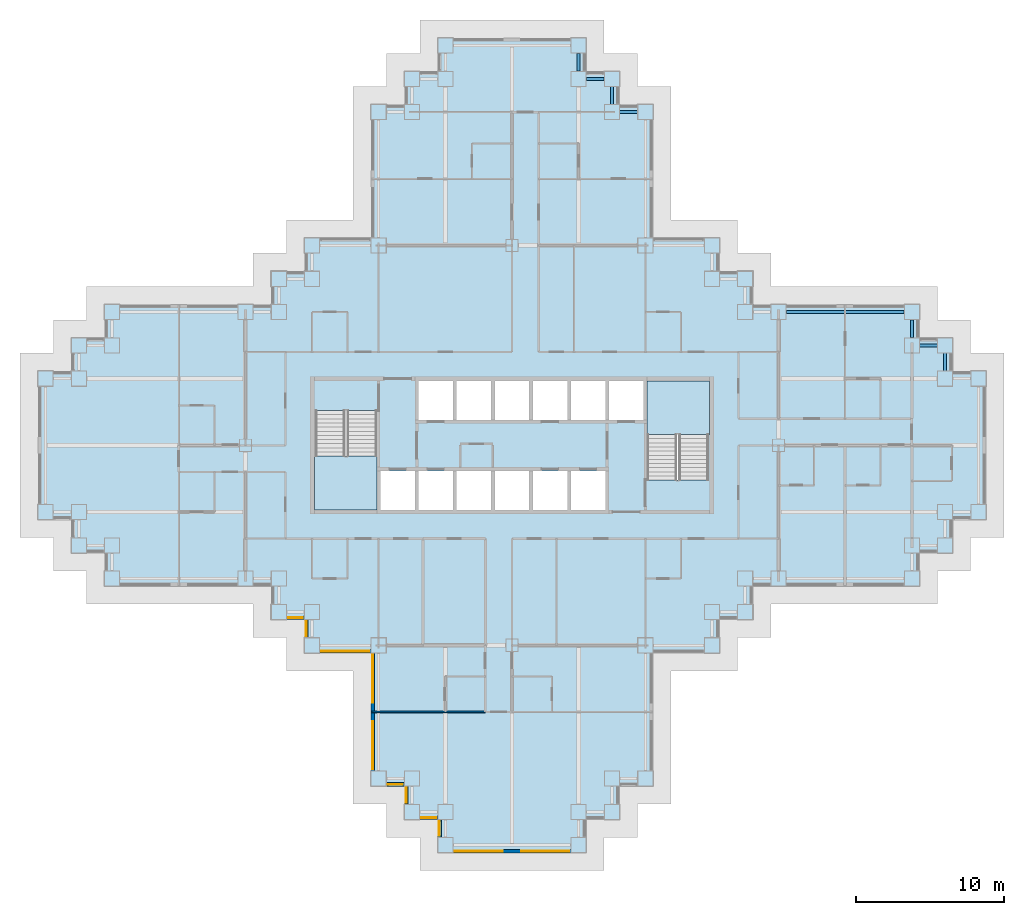
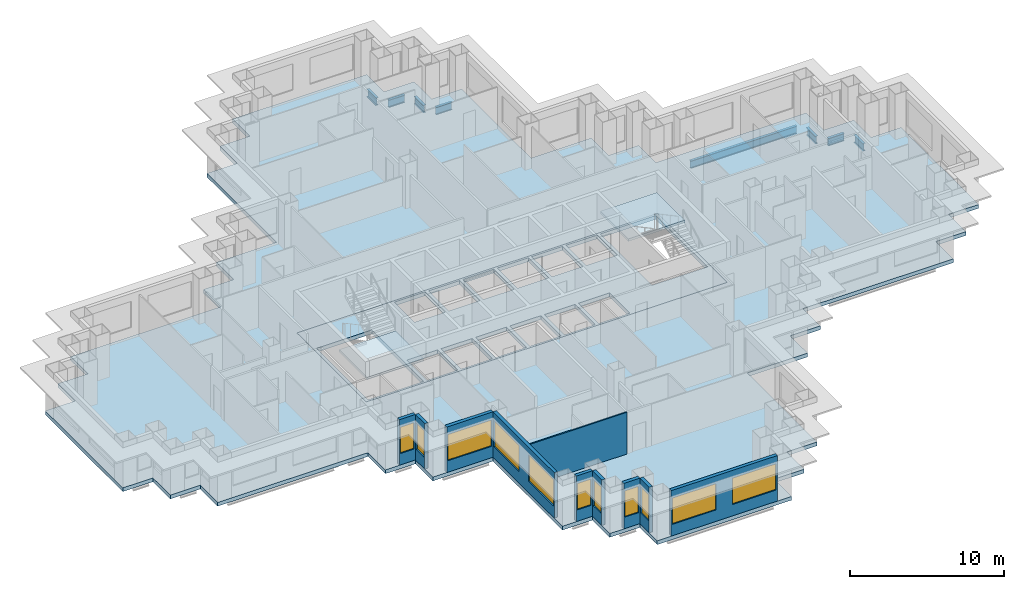
# One storey, part 2 of 14: 11 windows, 10 walls, 8 beams, 4 slabs, 11 openings, 2 elements without a shape of their own.
"""IFC4 building model written with IfcOpenShell, lengths in metres."""

from ifc_helpers import new_model, si_unit, direction, frame, frame_2d, origin, origin_2d, place, context, subcontext, project, spatial, polyline, rectangle, i_section, outline, extrude, material, layer, layer_set, material_profile, profile_set, type_object, element, fill, aggregate, save


model = new_model("IFC4")

# Units and contexts
model_context = context("Model", 3, precision=1e-05, world=origin(), true_north=direction((0.0, 1.0)))
body_context = subcontext(model_context, "Body", "Model", "MODEL_VIEW")
ifc_project = project(units=[si_unit("LENGTHUNIT", "METRE"), si_unit("AREAUNIT", "SQUARE_METRE"), si_unit("VOLUMEUNIT", "CUBIC_METRE"), si_unit("PLANEANGLEUNIT", "RADIAN"), si_unit("MASSUNIT", "GRAM", prefix="KILO")], contexts=[model_context])

# Site, building, storey
site_placement = place(None, origin())
site = spatial("IfcSite", under=ifc_project, at=site_placement, CompositionType="ELEMENT")
building_placement = place(site_placement, origin())
building = spatial("IfcBuilding", under=site, at=building_placement, Name="Caravel Reach Hotel and Residences", CompositionType="ELEMENT")
storey_placement = place(building_placement, frame((0.0, 0.0, 40.800048828125)))
storey = spatial("IfcBuildingStorey", under=building, at=storey_placement, Name="L08", CompositionType="ELEMENT", Elevation=40.800048828125)

# Beams
ifc_material_1 = material(Name="Structural steel Q355B", Category="steel")
ifc_material_profile = material_profile(ifc_material_1, i_section(OverallWidth=0.199951171875, OverallDepth=0.60009765625, WebThickness=0.010986328125, FlangeThickness=0.01708984375, FilletRadius=0.012939453125, at=origin_2d()), Name="HN 600x200x11x17")
ifc_profile_set = profile_set([ifc_material_profile], Name="Structural steel Q355B")
beam_type = type_object("IfcBeamType", Name="Spandrel beam HN 600x200x11x17", PredefinedType="SPANDREL", material=ifc_profile_set)
for number, where, z_axis, x_axis, name in (
    (1, (60.75, 32.02490234375, -0.60009765625), (0.0, 1.0, 0.0), (-1.0, 0.0, 0.0), "SP1 HN 600x200x11x17"),
    (2, (60.22509765625, 33.75, -0.60009765625), (-1.0, 0.0, 0.0), (0.0, -1.0, 0.0), "SP1 HN 600x200x11x17"),
    (3, (58.5, 34.27490234375, -0.60009765625), (0.0, 1.0, 0.0), (-1.0, 0.0, 0.0), "SP1 HN 600x200x11x17"),
):
    element("IfcBeam", number, at=place(storey_placement, frame(where, z_axis=z_axis, x_axis=x_axis)), inside=storey, type_object=beam_type, Name=name, PredefinedType="SPANDREL", context=body_context, shape_type="SweptSolid", body=[
        extrude(i_section(OverallWidth=0.199951171875, OverallDepth=0.60009765625, WebThickness=0.010986328125, FlangeThickness=0.01708984375, FilletRadius=0.012939453125, at=origin_2d()), origin(), (0.0, 0.0, 1.0), 1.2001953125),
    ])
beam_placement = place(storey_placement, frame((57.97509765625, 36.0, -0.60009765625), z_axis=(-1.0, 0.0, 0.0), x_axis=(0.0, -1.0, 0.0)))
element("IfcBeam", 4, at=beam_placement, inside=storey, type_object=beam_type, Name="SP1 HN 600x200x11x17", PredefinedType="SPANDREL", context=body_context, shape_type="SweptSolid", body=[
    extrude(i_section(OverallWidth=0.199951171875, OverallDepth=0.60009765625, WebThickness=0.010986328125, FlangeThickness=0.01708984375, FilletRadius=0.012939453125, at=origin_2d()), origin(), (0.0, 0.0, 1.0), 7.9501953125),
])
for number, where, z_axis, x_axis, name in (
    (5, (39.97509765625, 49.5, -0.60009765625), (-1.0, 0.0, 0.0), (0.0, -1.0, 0.0), "SP1 HN 600x200x11x17"),
    (6, (38.25, 50.02490234375, -0.60009765625), (0.0, 1.0, 0.0), (-1.0, 0.0, 0.0), "SP1 HN 600x200x11x17"),
    (7, (37.72509765625, 51.75, -0.60009765625), (-1.0, 0.0, 0.0), (0.0, -1.0, 0.0), "SP1 HN 600x200x11x17"),
    (8, (36.0, 52.27490234375, -0.60009765625), (0.0, 1.0, 0.0), (-1.0, 0.0, 0.0), "SP1 HN 600x200x11x17"),
):
    element("IfcBeam", number, at=place(storey_placement, frame(where, z_axis=z_axis, x_axis=x_axis)), inside=storey, type_object=beam_type, Name=name, PredefinedType="SPANDREL", context=body_context, shape_type="SweptSolid", body=[
        extrude(i_section(OverallWidth=0.199951171875, OverallDepth=0.60009765625, WebThickness=0.010986328125, FlangeThickness=0.01708984375, FilletRadius=0.012939453125, at=origin_2d()), origin(), (0.0, 0.0, 1.0), 1.2001953125),
    ])

# Slab
ifc_material_2 = material(Name="Concrete C40", Category="concrete")
ifc_layer_1 = layer(ifc_material_2, 0.300048828125)
ifc_layer_set_1 = layer_set([ifc_layer_1], Name="Core floor slab 300 mm")
slab_type_1 = type_object("IfcSlabType", Name="Core floor slab 300 mm", PredefinedType="FLOOR", material=ifc_layer_set_1)
slab_1_placement = place(storey_placement, frame((0.0, 0.0, -0.300048828125)))
element("IfcSlab", 9, at=slab_1_placement, inside=storey, type_object=slab_type_1, Name="L08 core floor", PredefinedType="FLOOR", context=body_context, shape_type="SweptSolid", body=[
    extrude(outline(polyline([(18.0, 31.5), (45.0, 31.5), (45.0, 22.5), (18.0, 22.5), (18.0, 31.5)]), holes=[polyline([(22.625, 25.27490234375), (22.625, 22.64990234375), (24.9462890625, 22.64990234375), (24.9462890625, 25.27490234375), (22.625, 25.27490234375)]), polyline([(27.517822265625, 25.27490234375), (25.1962890625, 25.27490234375), (25.1962890625, 22.64990234375), (27.517822265625, 22.64990234375), (27.517822265625, 25.27490234375)]), polyline([(30.08935546875, 25.27490234375), (27.767822265625, 25.27490234375), (27.767822265625, 22.64990234375), (30.08935546875, 22.64990234375), (30.08935546875, 25.27490234375)]), polyline([(32.66064453125, 25.27490234375), (30.33935546875, 25.27490234375), (30.33935546875, 22.64990234375), (32.66064453125, 22.64990234375), (32.66064453125, 25.27490234375)]), polyline([(18.22509765625, 22.64990234375), (22.375, 22.64990234375), (22.375, 29.35009765625), (18.22509765625, 29.35009765625), (18.22509765625, 22.64990234375)]), polyline([(27.517822265625, 31.35009765625), (25.1962890625, 31.35009765625), (25.1962890625, 28.72509765625), (27.517822265625, 28.72509765625), (27.517822265625, 31.35009765625)]), polyline([(30.08935546875, 31.35009765625), (27.767822265625, 31.35009765625), (27.767822265625, 28.72509765625), (30.08935546875, 28.72509765625), (30.08935546875, 31.35009765625)]), polyline([(32.91064453125, 25.27490234375), (32.91064453125, 22.64990234375), (35.232177734375, 22.64990234375), (35.232177734375, 25.27490234375), (32.91064453125, 25.27490234375)]), polyline([(37.8037109375, 25.27490234375), (35.482177734375, 25.27490234375), (35.482177734375, 22.64990234375), (37.8037109375, 22.64990234375), (37.8037109375, 25.27490234375)]), polyline([(44.77490234375, 31.35009765625), (40.625, 31.35009765625), (40.625, 24.64990234375), (44.77490234375, 24.64990234375), (44.77490234375, 31.35009765625)]), polyline([(32.66064453125, 31.35009765625), (30.33935546875, 31.35009765625), (30.33935546875, 28.72509765625), (32.66064453125, 28.72509765625), (32.66064453125, 31.35009765625)]), polyline([(35.232177734375, 31.35009765625), (32.91064453125, 31.35009765625), (32.91064453125, 28.72509765625), (35.232177734375, 28.72509765625), (35.232177734375, 31.35009765625)]), polyline([(37.8037109375, 31.35009765625), (35.482177734375, 31.35009765625), (35.482177734375, 28.72509765625), (37.8037109375, 28.72509765625), (37.8037109375, 31.35009765625)]), polyline([(40.375, 31.35009765625), (38.0537109375, 31.35009765625), (38.0537109375, 28.72509765625), (40.375, 28.72509765625), (40.375, 31.35009765625)])]), origin(), (0.0, 0.0, 1.0), 0.300048828125),
])

# Stair, slab
ifc_material_3 = material(Name="Concrete C40", Category="concrete")
stair_type = type_object("IfcStairType", Name="Core stair", PredefinedType="HALF_TURN_STAIR", material=ifc_material_3)
stair_1_placement = place(storey_placement, origin())
stair_1 = element("IfcStair", 10, at=stair_1_placement, inside=storey, type_object=stair_type, Name="L08 Exit stair A", PredefinedType="HALF_TURN_STAIR")
ifc_material_4 = material(Name="Concrete C40", Category="concrete")
ifc_layer_2 = layer(ifc_material_4, 0.199951171875)
ifc_layer_set_2 = layer_set([ifc_layer_2], Name="Core stair landing")
slab_type_2 = type_object("IfcSlabType", Name="Core stair landing", PredefinedType="LANDING", material=ifc_layer_set_2)
slab_2_placement = place(storey_placement, frame((0.0, 0.0, 1.599853515625)))
slab_2 = element("IfcSlab", 11, at=slab_2_placement, type_object=slab_type_2, Name="ST-A landing 1", PredefinedType="LANDING", context=body_context, shape_type="SweptSolid", body=[
    extrude(outline(polyline([(18.14990234375, 26.27001953125), (18.14990234375, 22.64990234375), (22.375, 22.64990234375), (22.375, 26.27001953125), (18.14990234375, 26.27001953125)])), origin(), (0.0, 0.0, 1.0), 0.2001953125),
])
aggregate(stair_1, [slab_2])

stair_2_placement = place(storey_placement, origin())
stair_2 = element("IfcStair", 12, at=stair_2_placement, inside=storey, type_object=stair_type, Name="L08 Exit stair B", PredefinedType="HALF_TURN_STAIR")
slab_3_placement = place(storey_placement, frame((0.0, 0.0, 1.599853515625)))
slab_3 = element("IfcSlab", 13, at=slab_3_placement, type_object=slab_type_2, Name="ST-B landing 1", PredefinedType="LANDING", context=body_context, shape_type="SweptSolid", body=[
    extrude(outline(polyline([(44.85009765625, 27.72998046875), (44.85009765625, 31.35009765625), (40.625, 31.35009765625), (40.625, 27.72998046875), (44.85009765625, 27.72998046875)])), origin(), (0.0, 0.0, 1.0), 0.2001953125),
])
aggregate(stair_2, [slab_3])

# Slab
ifc_material_5 = material(Name="Concrete C40 post-tensioned", Category="concrete")
ifc_layer_3 = layer(ifc_material_5, 0.300048828125)
ifc_layer_set_3 = layer_set([ifc_layer_3], Name="Floor slab 300")
slab_type_3 = type_object("IfcSlabType", Name="Floor slab 300", PredefinedType="FLOOR", material=ifc_layer_set_3)
slab_4_placement = place(storey_placement, frame((0.0, 0.0, -0.300048828125)))
element("IfcSlab", 14, at=slab_4_placement, inside=storey, type_object=slab_type_3, Name="S2 slab L08", PredefinedType="FLOOR", context=body_context, shape_type="SweptSolid", body=[
    extrude(outline(polyline([(17.47509765625, 12.97509765625), (17.47509765625, 15.22509765625), (15.22509765625, 15.22509765625), (15.22509765625, 17.47509765625), (3.97509765625, 17.47509765625), (3.97509765625, 19.72509765625), (1.72509765625, 19.72509765625), (1.72509765625, 21.97509765625), (-0.52490234375, 21.97509765625), (-0.52490234375, 32.02490234375), (1.72509765625, 32.02490234375), (1.72509765625, 34.27490234375), (3.97509765625, 34.27490234375), (3.97509765625, 36.52490234375), (15.22509765625, 36.52490234375), (15.22509765625, 38.77490234375), (17.47509765625, 38.77490234375), (17.47509765625, 41.02490234375), (21.97509765625, 41.02490234375), (21.97509765625, 50.02490234375), (24.22509765625, 50.02490234375), (24.22509765625, 52.27490234375), (26.47509765625, 52.27490234375), (26.47509765625, 54.52490234375), (36.52490234375, 54.52490234375), (36.52490234375, 52.27490234375), (38.77490234375, 52.27490234375), (38.77490234375, 50.02490234375), (41.02490234375, 50.02490234375), (41.02490234375, 41.02490234375), (45.52490234375, 41.02490234375), (45.52490234375, 38.77490234375), (47.77490234375, 38.77490234375), (47.77490234375, 36.52490234375), (59.02490234375, 36.52490234375), (59.02490234375, 34.27490234375), (61.27490234375, 34.27490234375), (61.27490234375, 32.02490234375), (63.52490234375, 32.02490234375), (63.52490234375, 21.97509765625), (61.27490234375, 21.97509765625), (61.27490234375, 19.72509765625), (59.02490234375, 19.72509765625), (59.02490234375, 17.47509765625), (47.77490234375, 17.47509765625), (47.77490234375, 15.22509765625), (45.52490234375, 15.22509765625), (45.52490234375, 12.97509765625), (41.02490234375, 12.97509765625), (41.02490234375, 3.97509765625), (38.77490234375, 3.97509765625), (38.77490234375, 1.72509765625), (36.52490234375, 1.72509765625), (36.52490234375, -0.52490234375), (26.47509765625, -0.52490234375), (26.47509765625, 1.72509765625), (24.22509765625, 1.72509765625), (24.22509765625, 3.97509765625), (21.97509765625, 3.97509765625), (21.97509765625, 12.97509765625), (17.47509765625, 12.97509765625)]), holes=[polyline([(45.0, 31.5), (18.0, 31.5), (18.0, 22.5), (45.0, 22.5), (45.0, 31.5)])]), origin(), (0.0, 0.0, 1.0), 0.300048828125),
])

# Wall, opening, window
ifc_material_6 = material(Name="Insulated rainscreen wall, aluminium cladding", Category="aluminium")
ifc_layer_4 = layer(ifc_material_6, 0.25)
ifc_layer_set_4 = layer_set([ifc_layer_4], Name="EW1 Tower rainscreen wall")
wall_type_1 = type_object("IfcWallType", Name="EW1 Tower rainscreen wall", PredefinedType="SOLIDWALL", material=ifc_layer_set_4)
wall_1_placement = place(storey_placement, frame((23.02490234375, 4.10009765625, 0.0), z_axis=(0.0, 0.0, 1.0), x_axis=(1.0, 0.0, 0.0)))
wall_1 = element("IfcWall", 15, at=wall_1_placement, inside=storey, type_object=wall_type_1, Name="External wall L08 S1.1", PredefinedType="SOLIDWALL", context=body_context, shape_type="SweptSolid", body=[
    extrude(rectangle(XDim=1.2001953125, YDim=0.25, at=frame_2d((0.60009765625, 0.0))), origin(), (0.0, 0.0, 1.0), 3.599853515625),
])
opening_1_placement = place(wall_1_placement, frame((0.10009765625, 0.0, 0.89990234375)))
opening_1 = element("IfcOpeningElement", 16, at=opening_1_placement, cuts=wall_1, Name="Opening WN1", PredefinedType="OPENING", context=body_context, shape_type="SweptSolid", body=[
    extrude(rectangle(XDim=1.0, YDim=2.080078125, at=frame_2d((0.5, 1.0400390625))), frame((0.0, 0.135009765625, 0.0), z_axis=(0.0, -1.0, 0.0), x_axis=(1.0, 0.0, 0.0)), (0.0, 0.0, 1.0), 0.27001953125),
])
ifc_material_7 = material(Name="Dark low-e glazing in black aluminium frame", Category="aluminium")
window_type_1 = type_object("IfcWindowType", Name="Hotel suite corner window 1000 x 2080", PartitioningType="SINGLE_PANEL", PredefinedType="WINDOW", material=ifc_material_7)
window_1_placement = place(opening_1_placement, origin())
window_1 = element("IfcWindow", 17, at=window_1_placement, inside=storey, type_object=window_type_1, Name="Window L08 S1.1.1", OverallHeight=2.080078125, OverallWidth=1.0, PartitioningType="SINGLE_PANEL", PredefinedType="WINDOW", context=body_context, shape_type="SweptSolid", body=[
    extrude(rectangle(XDim=1.0, YDim=2.080078125, at=frame_2d((0.5, 1.0400390625))), frame((0.0, 0.030029296875, 0.0), z_axis=(0.0, -1.0, 0.0), x_axis=(1.0, 0.0, 0.0)), (0.0, 0.0, 1.0), 0.06005859375),
])
fill(opening_1, window_1)

wall_2_placement = place(storey_placement, frame((24.35009765625, 3.97509765625, 0.0), z_axis=(0.0, 0.0, 1.0), x_axis=(0.0, -1.0, 0.0)))
wall_2 = element("IfcWall", 18, at=wall_2_placement, inside=storey, type_object=wall_type_1, Name="External wall L08 W2.1", PredefinedType="SOLIDWALL", context=body_context, shape_type="SweptSolid", body=[
    extrude(rectangle(XDim=1.2001953125, YDim=0.25, at=frame_2d((0.60009765625, 0.0))), origin(), (0.0, 0.0, 1.0), 3.599853515625),
])
opening_2_placement = place(wall_2_placement, frame((0.10009765625, 0.0, 0.89990234375)))
opening_2 = element("IfcOpeningElement", 19, at=opening_2_placement, cuts=wall_2, Name="Opening WN1", PredefinedType="OPENING", context=body_context, shape_type="SweptSolid", body=[
    extrude(rectangle(XDim=1.0, YDim=2.080078125, at=frame_2d((0.5, 1.0400390625))), frame((0.0, 0.135009765625, 0.0), z_axis=(0.0, -1.0, 0.0), x_axis=(1.0, 0.0, 0.0)), (0.0, 0.0, 1.0), 0.27001953125),
])
window_2_placement = place(opening_2_placement, origin())
window_2 = element("IfcWindow", 20, at=window_2_placement, inside=storey, type_object=window_type_1, Name="Window L08 W2.1.1", OverallHeight=2.080078125, OverallWidth=1.0, PartitioningType="SINGLE_PANEL", PredefinedType="WINDOW", context=body_context, shape_type="SweptSolid", body=[
    extrude(rectangle(XDim=1.0, YDim=2.080078125, at=frame_2d((0.5, 1.0400390625))), frame((0.0, 0.030029296875, 0.0), z_axis=(0.0, -1.0, 0.0), x_axis=(1.0, 0.0, 0.0)), (0.0, 0.0, 1.0), 0.06005859375),
])
fill(opening_2, window_2)

wall_3_placement = place(storey_placement, frame((25.27490234375, 1.85009765625, 0.0), z_axis=(0.0, 0.0, 1.0), x_axis=(1.0, 0.0, 0.0)))
wall_3 = element("IfcWall", 21, at=wall_3_placement, inside=storey, type_object=wall_type_1, Name="External wall L08 S3.1", PredefinedType="SOLIDWALL", context=body_context, shape_type="SweptSolid", body=[
    extrude(rectangle(XDim=1.2001953125, YDim=0.25, at=frame_2d((0.60009765625, 0.0))), origin(), (0.0, 0.0, 1.0), 3.599853515625),
])
opening_3_placement = place(wall_3_placement, frame((0.10009765625, 0.0, 0.89990234375)))
opening_3 = element("IfcOpeningElement", 22, at=opening_3_placement, cuts=wall_3, Name="Opening WN1", PredefinedType="OPENING", context=body_context, shape_type="SweptSolid", body=[
    extrude(rectangle(XDim=1.0, YDim=2.080078125, at=frame_2d((0.5, 1.0400390625))), frame((0.0, 0.135009765625, 0.0), z_axis=(0.0, -1.0, 0.0), x_axis=(1.0, 0.0, 0.0)), (0.0, 0.0, 1.0), 0.27001953125),
])
window_3_placement = place(opening_3_placement, origin())
window_3 = element("IfcWindow", 23, at=window_3_placement, inside=storey, type_object=window_type_1, Name="Window L08 S3.1.1", OverallHeight=2.080078125, OverallWidth=1.0, PartitioningType="SINGLE_PANEL", PredefinedType="WINDOW", context=body_context, shape_type="SweptSolid", body=[
    extrude(rectangle(XDim=1.0, YDim=2.080078125, at=frame_2d((0.5, 1.0400390625))), frame((0.0, 0.030029296875, 0.0), z_axis=(0.0, -1.0, 0.0), x_axis=(1.0, 0.0, 0.0)), (0.0, 0.0, 1.0), 0.06005859375),
])
fill(opening_3, window_3)

wall_4_placement = place(storey_placement, frame((26.60009765625, 1.72509765625, 0.0), z_axis=(0.0, 0.0, 1.0), x_axis=(0.0, -1.0, 0.0)))
wall_4 = element("IfcWall", 24, at=wall_4_placement, inside=storey, type_object=wall_type_1, Name="External wall L08 W4.1", PredefinedType="SOLIDWALL", context=body_context, shape_type="SweptSolid", body=[
    extrude(rectangle(XDim=1.2001953125, YDim=0.25, at=frame_2d((0.60009765625, 0.0))), origin(), (0.0, 0.0, 1.0), 3.599853515625),
])
opening_4_placement = place(wall_4_placement, frame((0.10009765625, 0.0, 0.89990234375)))
opening_4 = element("IfcOpeningElement", 25, at=opening_4_placement, cuts=wall_4, Name="Opening WN1", PredefinedType="OPENING", context=body_context, shape_type="SweptSolid", body=[
    extrude(rectangle(XDim=1.0, YDim=2.080078125, at=frame_2d((0.5, 1.0400390625))), frame((0.0, 0.135009765625, 0.0), z_axis=(0.0, -1.0, 0.0), x_axis=(1.0, 0.0, 0.0)), (0.0, 0.0, 1.0), 0.27001953125),
])
window_4_placement = place(opening_4_placement, origin())
window_4 = element("IfcWindow", 26, at=window_4_placement, inside=storey, type_object=window_type_1, Name="Window L08 W4.1.1", OverallHeight=2.080078125, OverallWidth=1.0, PartitioningType="SINGLE_PANEL", PredefinedType="WINDOW", context=body_context, shape_type="SweptSolid", body=[
    extrude(rectangle(XDim=1.0, YDim=2.080078125, at=frame_2d((0.5, 1.0400390625))), frame((0.0, 0.030029296875, 0.0), z_axis=(0.0, -1.0, 0.0), x_axis=(1.0, 0.0, 0.0)), (0.0, 0.0, 1.0), 0.06005859375),
])
fill(opening_4, window_4)

# Wall, openings, windows
wall_5_placement = place(storey_placement, frame((27.52490234375, -0.39990234375, 0.0), z_axis=(0.0, 0.0, 1.0), x_axis=(1.0, 0.0, 0.0)))
wall_5 = element("IfcWall", 27, at=wall_5_placement, inside=storey, type_object=wall_type_1, Name="External wall L08 S5.1", PredefinedType="SOLIDWALL", context=body_context, shape_type="SweptSolid", body=[
    extrude(rectangle(XDim=7.9501953125, YDim=0.25, at=frame_2d((3.97509765625, 0.0))), origin(), (0.0, 0.0, 1.0), 3.599853515625),
])
opening_5_placement = place(wall_5_placement, frame((0.10009765625, 0.0, 0.89990234375)))
opening_5 = element("IfcOpeningElement", 28, at=opening_5_placement, cuts=wall_5, Name="Opening WN2", PredefinedType="OPENING", context=body_context, shape_type="SweptSolid", body=[
    extrude(rectangle(XDim=3.25, YDim=2.080078125, at=frame_2d((1.625, 1.0400390625))), frame((0.0, 0.135009765625, 0.0), z_axis=(0.0, -1.0, 0.0), x_axis=(1.0, 0.0, 0.0)), (0.0, 0.0, 1.0), 0.27001953125),
])
opening_6_placement = place(wall_5_placement, frame((4.60009765625, 0.0, 0.89990234375)))
opening_6 = element("IfcOpeningElement", 29, at=opening_6_placement, cuts=wall_5, Name="Opening WN2", PredefinedType="OPENING", context=body_context, shape_type="SweptSolid", body=[
    extrude(rectangle(XDim=3.25, YDim=2.080078125, at=frame_2d((1.625, 1.0400390625))), frame((0.0, 0.135009765625, 0.0), z_axis=(0.0, -1.0, 0.0), x_axis=(1.0, 0.0, 0.0)), (0.0, 0.0, 1.0), 0.27001953125),
])
ifc_material_8 = material(Name="Dark low-e glazing in black aluminium frame", Category="aluminium")
window_type_2 = type_object("IfcWindowType", Name="Hotel guest room window 3250 x 2080", PartitioningType="SINGLE_PANEL", PredefinedType="WINDOW", material=ifc_material_8)
window_5_placement = place(opening_5_placement, origin())
window_5 = element("IfcWindow", 30, at=window_5_placement, inside=storey, type_object=window_type_2, Name="Window L08 S5.1.1", OverallHeight=2.080078125, OverallWidth=3.25, PartitioningType="SINGLE_PANEL", PredefinedType="WINDOW", context=body_context, shape_type="SweptSolid", body=[
    extrude(rectangle(XDim=3.25, YDim=2.080078125, at=frame_2d((1.625, 1.0400390625))), frame((0.0, 0.030029296875, 0.0), z_axis=(0.0, -1.0, 0.0), x_axis=(1.0, 0.0, 0.0)), (0.0, 0.0, 1.0), 0.06005859375),
])
fill(opening_5, window_5)
window_6_placement = place(opening_6_placement, origin())
window_6 = element("IfcWindow", 31, at=window_6_placement, inside=storey, type_object=window_type_2, Name="Window L08 S5.1.2", OverallHeight=2.080078125, OverallWidth=3.25, PartitioningType="SINGLE_PANEL", PredefinedType="WINDOW", context=body_context, shape_type="SweptSolid", body=[
    extrude(rectangle(XDim=3.25, YDim=2.080078125, at=frame_2d((1.625, 1.0400390625))), frame((0.0, 0.030029296875, 0.0), z_axis=(0.0, -1.0, 0.0), x_axis=(1.0, 0.0, 0.0)), (0.0, 0.0, 1.0), 0.06005859375),
])
fill(opening_6, window_6)

# Wall, opening, window
wall_6_placement = place(storey_placement, frame((16.27490234375, 15.35009765625, 0.0), z_axis=(0.0, 0.0, 1.0), x_axis=(1.0, 0.0, 0.0)))
wall_6 = element("IfcWall", 32, at=wall_6_placement, inside=storey, type_object=wall_type_1, Name="External wall L08 S57.1", PredefinedType="SOLIDWALL", context=body_context, shape_type="SweptSolid", body=[
    extrude(rectangle(XDim=1.2001953125, YDim=0.25, at=frame_2d((0.60009765625, 0.0))), origin(), (0.0, 0.0, 1.0), 3.599853515625),
])
opening_7_placement = place(wall_6_placement, frame((0.10009765625, 0.0, 0.89990234375)))
opening_7 = element("IfcOpeningElement", 33, at=opening_7_placement, cuts=wall_6, Name="Opening WN1", PredefinedType="OPENING", context=body_context, shape_type="SweptSolid", body=[
    extrude(rectangle(XDim=1.0, YDim=2.080078125, at=frame_2d((0.5, 1.0400390625))), frame((0.0, 0.135009765625, 0.0), z_axis=(0.0, -1.0, 0.0), x_axis=(1.0, 0.0, 0.0)), (0.0, 0.0, 1.0), 0.27001953125),
])
window_7_placement = place(opening_7_placement, origin())
window_7 = element("IfcWindow", 34, at=window_7_placement, inside=storey, type_object=window_type_1, Name="Window L08 S57.1.1", OverallHeight=2.080078125, OverallWidth=1.0, PartitioningType="SINGLE_PANEL", PredefinedType="WINDOW", context=body_context, shape_type="SweptSolid", body=[
    extrude(rectangle(XDim=1.0, YDim=2.080078125, at=frame_2d((0.5, 1.0400390625))), frame((0.0, 0.030029296875, 0.0), z_axis=(0.0, -1.0, 0.0), x_axis=(1.0, 0.0, 0.0)), (0.0, 0.0, 1.0), 0.06005859375),
])
fill(opening_7, window_7)

wall_7_placement = place(storey_placement, frame((17.60009765625, 15.22509765625, 0.0), z_axis=(0.0, 0.0, 1.0), x_axis=(0.0, -1.0, 0.0)))
wall_7 = element("IfcWall", 35, at=wall_7_placement, inside=storey, type_object=wall_type_1, Name="External wall L08 W58.1", PredefinedType="SOLIDWALL", context=body_context, shape_type="SweptSolid", body=[
    extrude(rectangle(XDim=1.2001953125, YDim=0.25, at=frame_2d((0.60009765625, 0.0))), origin(), (0.0, 0.0, 1.0), 3.599853515625),
])
opening_8_placement = place(wall_7_placement, frame((0.10009765625, 0.0, 0.89990234375)))
opening_8 = element("IfcOpeningElement", 36, at=opening_8_placement, cuts=wall_7, Name="Opening WN1", PredefinedType="OPENING", context=body_context, shape_type="SweptSolid", body=[
    extrude(rectangle(XDim=1.0, YDim=2.080078125, at=frame_2d((0.5, 1.0400390625))), frame((0.0, 0.135009765625, 0.0), z_axis=(0.0, -1.0, 0.0), x_axis=(1.0, 0.0, 0.0)), (0.0, 0.0, 1.0), 0.27001953125),
])
window_8_placement = place(opening_8_placement, origin())
window_8 = element("IfcWindow", 37, at=window_8_placement, inside=storey, type_object=window_type_1, Name="Window L08 W58.1.1", OverallHeight=2.080078125, OverallWidth=1.0, PartitioningType="SINGLE_PANEL", PredefinedType="WINDOW", context=body_context, shape_type="SweptSolid", body=[
    extrude(rectangle(XDim=1.0, YDim=2.080078125, at=frame_2d((0.5, 1.0400390625))), frame((0.0, 0.030029296875, 0.0), z_axis=(0.0, -1.0, 0.0), x_axis=(1.0, 0.0, 0.0)), (0.0, 0.0, 1.0), 0.06005859375),
])
fill(opening_8, window_8)

wall_8_placement = place(storey_placement, frame((18.52490234375, 13.10009765625, 0.0), z_axis=(0.0, 0.0, 1.0), x_axis=(1.0, 0.0, 0.0)))
wall_8 = element("IfcWall", 38, at=wall_8_placement, inside=storey, type_object=wall_type_1, Name="External wall L08 S59.1", PredefinedType="SOLIDWALL", context=body_context, shape_type="SweptSolid", body=[
    extrude(rectangle(XDim=3.4501953125, YDim=0.25, at=frame_2d((1.72509765625, 0.0))), origin(), (0.0, 0.0, 1.0), 3.599853515625),
])
opening_9_placement = place(wall_8_placement, frame((0.10009765625, 0.0, 0.89990234375)))
opening_9 = element("IfcOpeningElement", 39, at=opening_9_placement, cuts=wall_8, Name="Opening WN2", PredefinedType="OPENING", context=body_context, shape_type="SweptSolid", body=[
    extrude(rectangle(XDim=3.25, YDim=2.080078125, at=frame_2d((1.625, 1.0400390625))), frame((0.0, 0.135009765625, 0.0), z_axis=(0.0, -1.0, 0.0), x_axis=(1.0, 0.0, 0.0)), (0.0, 0.0, 1.0), 0.27001953125),
])
window_9_placement = place(opening_9_placement, origin())
window_9 = element("IfcWindow", 40, at=window_9_placement, inside=storey, type_object=window_type_2, Name="Window L08 S59.1.1", OverallHeight=2.080078125, OverallWidth=3.25, PartitioningType="SINGLE_PANEL", PredefinedType="WINDOW", context=body_context, shape_type="SweptSolid", body=[
    extrude(rectangle(XDim=3.25, YDim=2.080078125, at=frame_2d((1.625, 1.0400390625))), frame((0.0, 0.030029296875, 0.0), z_axis=(0.0, -1.0, 0.0), x_axis=(1.0, 0.0, 0.0)), (0.0, 0.0, 1.0), 0.06005859375),
])
fill(opening_9, window_9)

# Wall, openings, windows
wall_9_placement = place(storey_placement, frame((22.10009765625, 12.97509765625, 0.0), z_axis=(0.0, 0.0, 1.0), x_axis=(0.0, -1.0, 0.0)))
wall_9 = element("IfcWall", 41, at=wall_9_placement, inside=storey, type_object=wall_type_1, Name="External wall L08 W60.1", PredefinedType="SOLIDWALL", context=body_context, shape_type="SweptSolid", body=[
    extrude(rectangle(XDim=7.9501953125, YDim=0.25, at=frame_2d((3.97509765625, 0.0))), origin(), (0.0, 0.0, 1.0), 3.599853515625),
])
opening_10_placement = place(wall_9_placement, frame((0.10009765625, 0.0, 0.89990234375)))
opening_10 = element("IfcOpeningElement", 42, at=opening_10_placement, cuts=wall_9, Name="Opening WN2", PredefinedType="OPENING", context=body_context, shape_type="SweptSolid", body=[
    extrude(rectangle(XDim=3.25, YDim=2.080078125, at=frame_2d((1.625, 1.0400390625))), frame((0.0, 0.135009765625, 0.0), z_axis=(0.0, -1.0, 0.0), x_axis=(1.0, 0.0, 0.0)), (0.0, 0.0, 1.0), 0.27001953125),
])
opening_11_placement = place(wall_9_placement, frame((4.60009765625, 0.0, 0.89990234375)))
opening_11 = element("IfcOpeningElement", 43, at=opening_11_placement, cuts=wall_9, Name="Opening WN2", PredefinedType="OPENING", context=body_context, shape_type="SweptSolid", body=[
    extrude(rectangle(XDim=3.25, YDim=2.080078125, at=frame_2d((1.625, 1.0400390625))), frame((0.0, 0.135009765625, 0.0), z_axis=(0.0, -1.0, 0.0), x_axis=(1.0, 0.0, 0.0)), (0.0, 0.0, 1.0), 0.27001953125),
])
window_10_placement = place(opening_10_placement, origin())
window_10 = element("IfcWindow", 44, at=window_10_placement, inside=storey, type_object=window_type_2, Name="Window L08 W60.1.1", OverallHeight=2.080078125, OverallWidth=3.25, PartitioningType="SINGLE_PANEL", PredefinedType="WINDOW", context=body_context, shape_type="SweptSolid", body=[
    extrude(rectangle(XDim=3.25, YDim=2.080078125, at=frame_2d((1.625, 1.0400390625))), frame((0.0, 0.030029296875, 0.0), z_axis=(0.0, -1.0, 0.0), x_axis=(1.0, 0.0, 0.0)), (0.0, 0.0, 1.0), 0.06005859375),
])
fill(opening_10, window_10)
window_11_placement = place(opening_11_placement, origin())
window_11 = element("IfcWindow", 45, at=window_11_placement, inside=storey, type_object=window_type_2, Name="Window L08 W60.1.2", OverallHeight=2.080078125, OverallWidth=3.25, PartitioningType="SINGLE_PANEL", PredefinedType="WINDOW", context=body_context, shape_type="SweptSolid", body=[
    extrude(rectangle(XDim=3.25, YDim=2.080078125, at=frame_2d((1.625, 1.0400390625))), frame((0.0, 0.030029296875, 0.0), z_axis=(0.0, -1.0, 0.0), x_axis=(1.0, 0.0, 0.0)), (0.0, 0.0, 1.0), 0.06005859375),
])
fill(opening_11, window_11)

# Wall
ifc_material_9 = material(Name="Gypsum board on steel stud", Category="steel")
ifc_layer_5 = layer(ifc_material_9, 0.10009765625)
ifc_layer_set_5 = layer_set([ifc_layer_5], Name="Partition 100 mm")
wall_type_2 = type_object("IfcWallType", Name="Partition 100 mm", PredefinedType="PARTITIONING", material=ifc_layer_set_5)
wall_10_placement = place(storey_placement, frame((22.034912109375, 9.0, 0.0), z_axis=(0.0, 0.0, 1.0), x_axis=(1.0, 0.0, 0.0)))
element("IfcWall", 46, at=wall_10_placement, inside=storey, type_object=wall_type_2, Name="L08 wall w053", PredefinedType="PARTITIONING", context=body_context, shape_type="SweptSolid", body=[
    extrude(rectangle(XDim=7.6650390625, YDim=0.10009765625, at=frame_2d((3.83251953125, 0.0))), origin(), (0.0, 0.0, 1.0), 3.300048828125),
])

save(model, "model.ifc")
